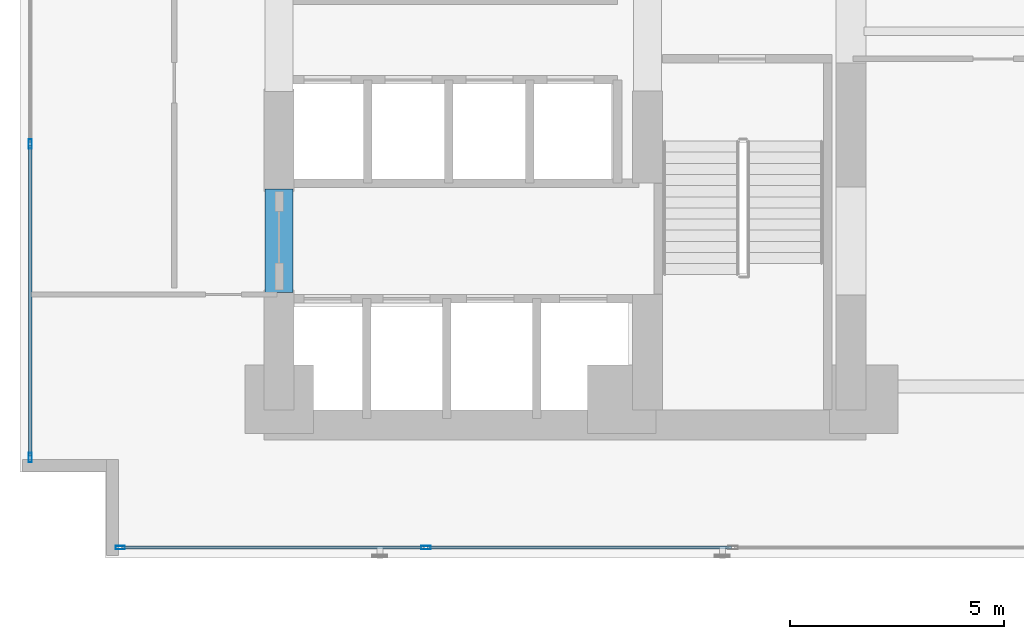
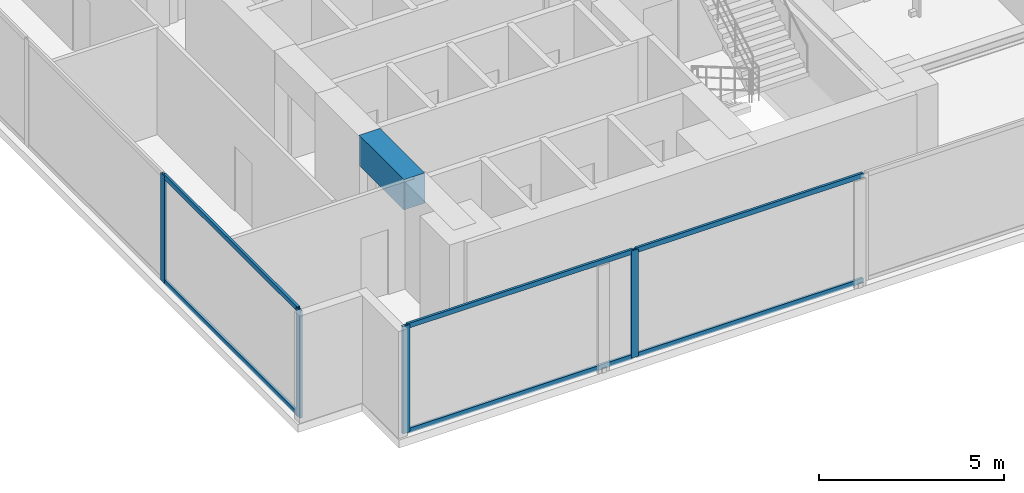
# One storey, part 2 of 30: 10 members, 1 beam, 2 elements without a shape of their own.
"""IFC4 building model written with IfcOpenShell, lengths in metres."""

from ifc_helpers import new_model, si_unit, direction, frame, origin, origin_with_axes, origin_2d, place, context, subcontext, project, spatial, rectangle, hollow_rectangle, extrude, source, transform, mapped, material, layer, layer_set, material_profile, profile_set, type_object, element, aggregate, save


model = new_model("IFC4")

# Units and contexts
model_context = context("Model", 3, precision=1e-05, world=origin(), true_north=direction((0.0, 1.0)))
body_context = subcontext(model_context, "Body", "Model", "MODEL_VIEW")
ifc_project = project(units=[si_unit("LENGTHUNIT", "METRE"), si_unit("AREAUNIT", "SQUARE_METRE"), si_unit("VOLUMEUNIT", "CUBIC_METRE"), si_unit("PLANEANGLEUNIT", "RADIAN"), si_unit("MASSUNIT", "GRAM", prefix="KILO")], contexts=[model_context])

# Site, building, storey
site_placement = place(None, origin())
site = spatial("IfcSite", under=ifc_project, at=site_placement, CompositionType="ELEMENT")
building_placement = place(site_placement, origin())
building = spatial("IfcBuilding", under=site, at=building_placement, Name="Kolvaren Waterfront Exchange", CompositionType="ELEMENT")
storey_placement = place(building_placement, frame((0.0, 0.0, 52.39990234375)))
storey = spatial("IfcBuildingStorey", under=building, at=storey_placement, Name="L13", CompositionType="ELEMENT", Elevation=52.39990234375)

# Beam
ifc_material_1 = material(Name="Concrete C60/75", Category="concrete")
ifc_material_profile_1 = material_profile(ifc_material_1, rectangle(XDim=0.64990234375, YDim=1.0, at=origin_2d()), Name="RC-CB-1000x650")
ifc_profile_set_1 = profile_set([ifc_material_profile_1], Name="Concrete C60/75")
beam_type = type_object("IfcBeamType", Name="STR-CB-1000", PredefinedType="SPANDREL", material=ifc_profile_set_1)
beam_placement = place(storey_placement, frame((7.449951171875, 7.389892578125, 3.0400390625), z_axis=(0.0, 1.0, 0.0), x_axis=(-1.0, 0.0, 0.0)))
element("IfcBeam", 1, at=beam_placement, inside=storey, type_object=beam_type, Name="L13 core coupling beam 3", PredefinedType="SPANDREL", context=body_context, shape_type="SweptSolid", body=[
    extrude(rectangle(XDim=0.64990234375, YDim=1.0, at=origin_2d()), origin(), (0.0, 0.0, 1.0), 2.420166015625),
])

# Curtain wall, members
ifc_material_2 = material(Name="Anodised bronze aluminium 6063-T6", Category="aluminium")
ifc_layer_1 = layer(ifc_material_2, 0.219970703125, Name="Anodised bronze aluminium 6063-T6")
ifc_layer_set_1 = layer_set([ifc_layer_1], Name="Anodised bronze aluminium 6063-T6")
curtain_wall_type_1 = type_object("IfcCurtainWallType", Name="ARC-CW-SYS1", PredefinedType="USERDEFINED", material=ifc_layer_set_1)
curtain_wall_1_placement = place(storey_placement, origin())
curtain_wall_1 = element("IfcCurtainWall", 2, at=curtain_wall_1_placement, inside=storey, type_object=curtain_wall_type_1, Name="L13 stick curtain wall CW1 (CW-L13-S)", ObjectType="STICK CURTAIN WALL", PredefinedType="USERDEFINED")
ifc_material_3 = material(Name="Anodised aluminium 6063-T6", Category="aluminium")
ifc_material_profile_2 = material_profile(ifc_material_3, hollow_rectangle(XDim=0.074951171875, YDim=0.159912109375, WallThickness=0.00439453125, at=origin_2d()), Name="ALU-TRN-160x75x4.5")
ifc_profile_set_2 = profile_set([ifc_material_profile_2], Name="Anodised aluminium 6063-T6")
member_type_1 = type_object("IfcMemberType", Name="ARC-CWT-160", PredefinedType="USERDEFINED", material=ifc_profile_set_2)
shared_shape_1 = source(origin_with_axes(), body_context, "Body", "SweptSolid", [
    extrude(hollow_rectangle(XDim=0.074951171875, YDim=0.159912109375, WallThickness=0.00439453125, at=origin_2d()), origin(), (0.0, 0.0, 1.0), 7.054931640625),
])
member_1_placement = place(storey_placement, frame((3.780029296875, 1.43994140625, 0.03759765625), z_axis=(1.0, 0.0, 0.0), x_axis=(0.0, 1.0, 0.0)))
member_1 = element("IfcMember", 3, at=member_1_placement, type_object=member_type_1, Name="CW1 transom 1.1", ObjectType="TRANSOM", PredefinedType="USERDEFINED", context=body_context, shape_type="MappedRepresentation", body=[
    mapped(shared_shape_1, transform((0.0, 0.0, 0.0), x_axis=(1.0, 0.0, 0.0), y_axis=(0.0, 1.0, 0.0), z_axis=(0.0, 0.0, 1.0), scale=1.0)),
])
member_2_placement = place(storey_placement, frame((3.780029296875, 1.43994140625, 3.502685546875), z_axis=(1.0, 0.0, 0.0), x_axis=(0.0, 1.0, 0.0)))
member_2 = element("IfcMember", 4, at=member_2_placement, type_object=member_type_1, Name="CW1 transom 1.2", ObjectType="TRANSOM", PredefinedType="USERDEFINED", context=body_context, shape_type="MappedRepresentation", body=[
    mapped(shared_shape_1, transform((0.0, 0.0, 0.0), x_axis=(1.0, 0.0, 0.0), y_axis=(0.0, 1.0, 0.0), z_axis=(0.0, 0.0, 1.0), scale=1.0)),
])
shared_shape_2 = source(origin_with_axes(), body_context, "Body", "SweptSolid", [
    extrude(hollow_rectangle(XDim=0.074951171875, YDim=0.159912109375, WallThickness=0.00439453125, at=origin_2d()), origin(), (0.0, 0.0, 1.0), 7.094970703125),
])
member_3_placement = place(storey_placement, frame((10.9150390625, 1.43994140625, 0.03759765625), z_axis=(1.0, 0.0, 0.0), x_axis=(0.0, 1.0, 0.0)))
member_3 = element("IfcMember", 5, at=member_3_placement, type_object=member_type_1, Name="CW1 transom 2.1", ObjectType="TRANSOM", PredefinedType="USERDEFINED", context=body_context, shape_type="MappedRepresentation", body=[
    mapped(shared_shape_2, transform((0.0, 0.0, 0.0), x_axis=(1.0, 0.0, 0.0), y_axis=(0.0, 1.0, 0.0), z_axis=(0.0, 0.0, 1.0), scale=1.0)),
])
member_4_placement = place(storey_placement, frame((10.9150390625, 1.43994140625, 3.502685546875), z_axis=(1.0, 0.0, 0.0), x_axis=(0.0, 1.0, 0.0)))
member_4 = element("IfcMember", 6, at=member_4_placement, type_object=member_type_1, Name="CW1 transom 2.2", ObjectType="TRANSOM", PredefinedType="USERDEFINED", context=body_context, shape_type="MappedRepresentation", body=[
    mapped(shared_shape_2, transform((0.0, 0.0, 0.0), x_axis=(1.0, 0.0, 0.0), y_axis=(0.0, 1.0, 0.0), z_axis=(0.0, 0.0, 1.0), scale=1.0)),
])

ifc_layer_2 = layer(ifc_material_3, 0.219970703125, Name="Anodised aluminium 6063-T6")
ifc_layer_set_2 = layer_set([ifc_layer_2], Name="Anodised aluminium 6063-T6")
curtain_wall_type_2 = type_object("IfcCurtainWallType", Name="ARC-CW-SYS2", PredefinedType="USERDEFINED", material=ifc_layer_set_2)
curtain_wall_2_placement = place(storey_placement, origin())
curtain_wall_2 = element("IfcCurtainWall", 7, at=curtain_wall_2_placement, inside=storey, type_object=curtain_wall_type_2, Name="L13 stick curtain wall CW2 (CW-L13-W)", ObjectType="STICK CURTAIN WALL", PredefinedType="USERDEFINED")
shared_shape_3 = source(origin_with_axes(), body_context, "Body", "SweptSolid", [
    extrude(hollow_rectangle(XDim=0.074951171875, YDim=0.159912109375, WallThickness=0.00439453125, at=origin_2d()), origin(), (0.0, 0.0, 1.0), 7.24658203125),
])
member_5_placement = place(storey_placement, frame((1.639892578125, 3.580078125, 0.03759765625), z_axis=(0.0, 1.0, 0.0), x_axis=(-1.0, 0.0, 0.0)))
member_5 = element("IfcMember", 8, at=member_5_placement, type_object=member_type_1, Name="CW2 transom 1.1", ObjectType="TRANSOM", PredefinedType="USERDEFINED", context=body_context, shape_type="MappedRepresentation", body=[
    mapped(shared_shape_3, transform((0.0, 0.0, 0.0), x_axis=(1.0, 0.0, 0.0), y_axis=(0.0, 1.0, 0.0), z_axis=(0.0, 0.0, 1.0), scale=1.0)),
])
member_6_placement = place(storey_placement, frame((1.639892578125, 3.580078125, 3.502685546875), z_axis=(0.0, 1.0, 0.0), x_axis=(-1.0, 0.0, 0.0)))
member_6 = element("IfcMember", 9, at=member_6_placement, type_object=member_type_1, Name="CW2 transom 1.2", ObjectType="TRANSOM", PredefinedType="USERDEFINED", context=body_context, shape_type="MappedRepresentation", body=[
    mapped(shared_shape_3, transform((0.0, 0.0, 0.0), x_axis=(1.0, 0.0, 0.0), y_axis=(0.0, 1.0, 0.0), z_axis=(0.0, 0.0, 1.0), scale=1.0)),
])

# Member
ifc_material_profile_3 = material_profile(ifc_material_3, hollow_rectangle(XDim=0.080078125, YDim=0.219970703125, WallThickness=0.0048828125, at=origin_2d()), Name="ALU-MUL-220x80x5")
ifc_profile_set_3 = profile_set([ifc_material_profile_3], Name="Anodised aluminium 6063-T6")
member_type_2 = type_object("IfcMemberType", Name="ARC-CWM-220", PredefinedType="MULLION", material=ifc_profile_set_3)
shared_shape_4 = source(origin_with_axes(), body_context, "Body", "SweptSolid", [
    extrude(hollow_rectangle(XDim=0.080078125, YDim=0.219970703125, WallThickness=0.0048828125, at=origin_2d()), origin(), (0.0, 0.0, 1.0), 3.5400390625),
])
member_7_placement = place(storey_placement, frame((3.739990234375, 1.43994140625, 0.0), z_axis=(0.0, 0.0, 1.0), x_axis=(0.0, 1.0, 0.0)))
member_7 = element("IfcMember", 10, at=member_7_placement, type_object=member_type_2, Name="CW1 mullion 1", PredefinedType="MULLION", context=body_context, shape_type="MappedRepresentation", body=[
    mapped(shared_shape_4, transform((0.0, 0.0, 0.0), x_axis=(1.0, 0.0, 0.0), y_axis=(0.0, 1.0, 0.0), z_axis=(0.0, 0.0, 1.0), scale=1.0)),
])

member_8_placement = place(storey_placement, frame((10.875, 1.43994140625, 0.0), z_axis=(0.0, 0.0, 1.0), x_axis=(0.0, 1.0, 0.0)))
member_8 = element("IfcMember", 11, at=member_8_placement, type_object=member_type_2, Name="CW1 mullion 2", PredefinedType="MULLION", context=body_context, shape_type="MappedRepresentation", body=[
    mapped(shared_shape_4, transform((0.0, 0.0, 0.0), x_axis=(1.0, 0.0, 0.0), y_axis=(0.0, 1.0, 0.0), z_axis=(0.0, 0.0, 1.0), scale=1.0)),
])

aggregate(curtain_wall_1, [member_7, member_8, member_1, member_2, member_3, member_4])

member_9_placement = place(storey_placement, frame((1.639892578125, 3.5400390625, 0.0), z_axis=(0.0, 0.0, 1.0), x_axis=(-1.0, 0.0, 0.0)))
member_9 = element("IfcMember", 12, at=member_9_placement, type_object=member_type_2, Name="CW2 mullion 1", PredefinedType="MULLION", context=body_context, shape_type="MappedRepresentation", body=[
    mapped(shared_shape_4, transform((0.0, 0.0, 0.0), x_axis=(1.0, 0.0, 0.0), y_axis=(0.0, 1.0, 0.0), z_axis=(0.0, 0.0, 1.0), scale=1.0)),
])

member_10_placement = place(storey_placement, frame((1.639892578125, 10.86669921875, 0.0), z_axis=(0.0, 0.0, 1.0), x_axis=(-1.0, 0.0, 0.0)))
member_10 = element("IfcMember", 13, at=member_10_placement, type_object=member_type_2, Name="CW2 mullion 2", PredefinedType="MULLION", context=body_context, shape_type="MappedRepresentation", body=[
    mapped(shared_shape_4, transform((0.0, 0.0, 0.0), x_axis=(1.0, 0.0, 0.0), y_axis=(0.0, 1.0, 0.0), z_axis=(0.0, 0.0, 1.0), scale=1.0)),
])

aggregate(curtain_wall_2, [member_9, member_10, member_5, member_6])

save(model, "model.ifc")
